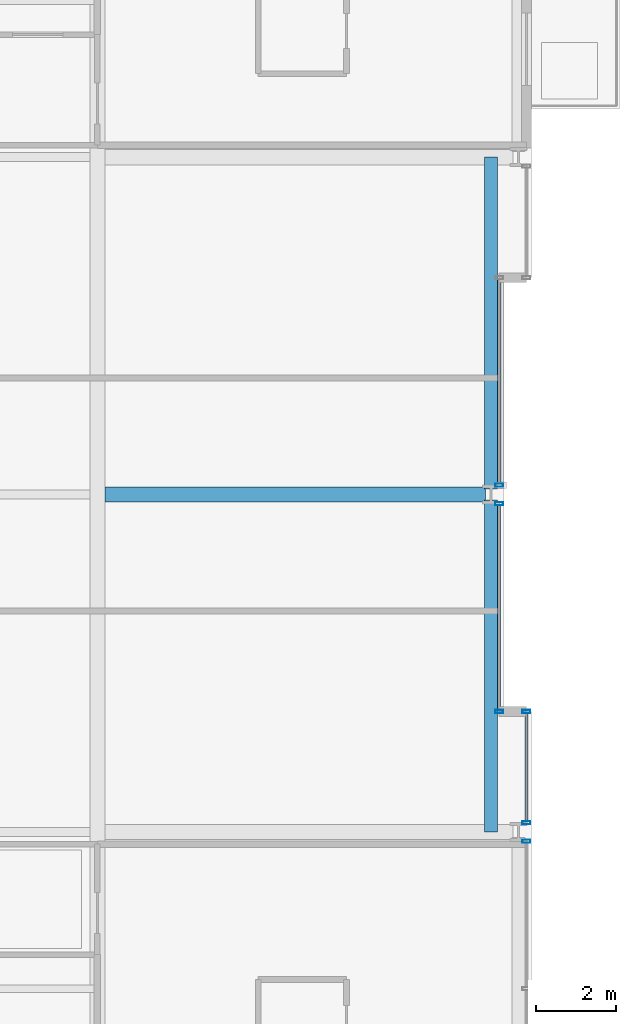
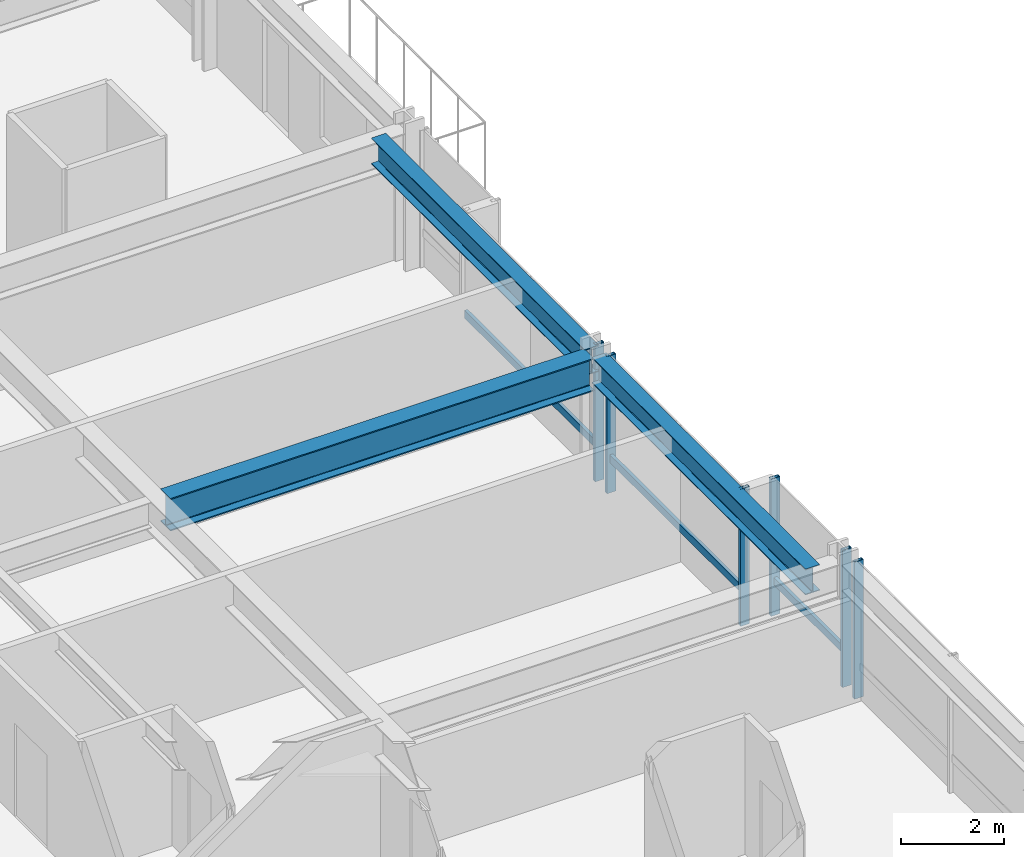
# One storey, part 16 of 38: 9 members, 3 beams, 4 elements without a shape of their own.
"""IFC4 building model written with IfcOpenShell, lengths in metres."""

import ifcopenshell
import ifcopenshell.guid

model = None  # the IFC model being written
_history = None  # IfcOwnerHistory: only IFC2X3 demands one
_inside = {}  # id of a spatial element -> (the spatial element, [elements in it])
_under = {}  # id of a project, library or spatial element -> (it, [spatial elements below it])
_declared = {}  # id of a project -> (the project, [libraries it declares])
_typed = {}  # id of a type object -> (the type object, [elements of that type])
_made_of = {}  # id of a material, layer set ... -> (it, [elements and type objects made of it])


def new_model(schema):
    """Start an empty IFC model of exactly this schema.

    Asked for "IFC4X3", IfcOpenShell would pick the latest addendum, in which some entities
    have other attributes; the version numbers below select the first issue.
    IFC2X3 requires an IfcOwnerHistory on every rooted entity: one is made here for all.
    """
    global model, _history
    if schema == "IFC4X3":
        model = ifcopenshell.file(schema_version=(4, 3, 0, 0))
    else:
        model = ifcopenshell.file(schema=schema)
    _inside.clear()
    _under.clear()
    _declared.clear()
    _typed.clear()
    _made_of.clear()
    _history = None
    if model.schema == "IFC2X3":
        org = make("IfcOrganization", Name="unknown")
        user = make(
            "IfcPersonAndOrganization",
            ThePerson=make("IfcPerson", FamilyName="unknown"),
            TheOrganization=org,
        )
        app = make(
            "IfcApplication",
            ApplicationDeveloper=org,
            Version="unknown",
            ApplicationFullName="unknown",
            ApplicationIdentifier="unknown",
        )
        _history = make(
            "IfcOwnerHistory",
            OwningUser=user,
            OwningApplication=app,
            ChangeAction="ADDED",
            CreationDate=0,
        )
    return model


def make(cls, **values):
    """One entity of the class cls with the attributes given. An attribute that is None is left unset."""
    return model.create_entity(
        cls, **{name: value for name, value in values.items() if value is not None}
    )


def rooted(cls, **values):
    """An entity with a GlobalId (a new one), such as an element, a storey or a relation."""
    return make(cls, GlobalId=ifcopenshell.guid.new(), OwnerHistory=_history, **values)


def si_unit(unit_type, name, prefix=None):
    """IfcSIUnit, for example si_unit("LENGTHUNIT", "METRE", prefix="MILLI")."""
    return make("IfcSIUnit", UnitType=unit_type, Prefix=prefix, Name=name)


def assignment(units):
    """IfcUnitAssignment: the units of a project."""
    return None if units is None else make("IfcUnitAssignment", Units=units)


def point(xyz):
    """IfcCartesianPoint."""
    return None if xyz is None else make("IfcCartesianPoint", Coordinates=xyz)


def direction(xyz):
    """IfcDirection."""
    return None if xyz is None else make("IfcDirection", DirectionRatios=xyz)


def frame(location, z_axis=None, x_axis=None):
    """IfcAxis2Placement3D, a coordinate frame: its origin and axes. An axis left out is left unset."""
    return make(
        "IfcAxis2Placement3D",
        Location=point(location),
        Axis=direction(z_axis),
        RefDirection=direction(x_axis),
    )


def frame_2d(location, x_axis=None):
    """IfcAxis2Placement2D, a coordinate frame in the plane: its origin and x axis."""
    return make(
        "IfcAxis2Placement2D", Location=point(location), RefDirection=direction(x_axis)
    )


def origin():
    """The frame at (0, 0, 0) with its axes left unset."""
    return frame((0.0, 0.0, 0.0))


def origin_2d():
    """The frame at (0, 0) in the plane with its x axis left unset."""
    return frame_2d((0.0, 0.0))


def place(relative_to, where):
    """IfcLocalPlacement: puts the frame where relative to a parent placement (None: the world)."""
    return make(
        "IfcLocalPlacement", PlacementRelTo=relative_to, RelativePlacement=where
    )


def context(
    kind, dimensions, precision=None, world=None, true_north=None, identifier=None
):
    """IfcGeometricRepresentationContext, for example the 3D "Model" context."""
    return make(
        "IfcGeometricRepresentationContext",
        ContextIdentifier=identifier,
        ContextType=kind,
        CoordinateSpaceDimension=dimensions,
        Precision=precision,
        WorldCoordinateSystem=world,
        TrueNorth=true_north,
    )


def subcontext(parent, identifier, kind, view, scale=None):
    """IfcGeometricRepresentationSubContext, for example "Body" below "Model"."""
    return make(
        "IfcGeometricRepresentationSubContext",
        ContextIdentifier=identifier,
        ContextType=kind,
        ParentContext=parent,
        TargetScale=scale,
        TargetView=view,
    )


def project(units=None, contexts=None):
    """IfcProject with its units and contexts."""
    return rooted(
        "IfcProject",
        Name="project",
        RepresentationContexts=contexts,
        UnitsInContext=assignment(units),
    )


def spatial(cls, under=None, at=None, **own):
    """A site, building, storey or space (cls), placed at a placement, below another one or the project."""
    s = rooted(cls, ObjectPlacement=at, **own)
    if under is not None:
        _under.setdefault(under.id(), (under, []))[1].append(s)
    return s


def profile(cls, at=None, kind="AREA", **sizes):
    """A parametric profile (cls). Its sizes go by their IFC names, for example OverallWidth=200.0."""
    return make(cls, ProfileType=kind, Position=at, **sizes)


def hollow_rectangle(**sizes):
    """IfcRectangleHollowProfileDef."""
    return profile("IfcRectangleHollowProfileDef", **sizes)


def i_section(**sizes):
    """IfcIShapeProfileDef."""
    return profile("IfcIShapeProfileDef", **sizes)


def extrude(swept, where, along, depth):
    """IfcExtrudedAreaSolid: the profile swept, set in the frame where, extruded along a direction by depth."""
    return make(
        "IfcExtrudedAreaSolid",
        SweptArea=swept,
        Position=where,
        ExtrudedDirection=direction(along),
        Depth=depth,
    )


def shape(context_of_items, identifier, shape_type, items):
    """IfcShapeRepresentation: the items that make up one representation, for example the "Body"."""
    return make(
        "IfcShapeRepresentation",
        ContextOfItems=context_of_items,
        RepresentationIdentifier=identifier,
        RepresentationType=shape_type,
        Items=items,
    )


def material(Name=None, Category=None):
    """IfcMaterial."""
    return make("IfcMaterial", Name=Name, Category=Category)


def layer(
    of_material, thickness, ventilated=None, Name=None, Category=None, Priority=None
):
    """IfcMaterialLayer: one layer of a wall or slab, of a material (None: an air gap)."""
    return make(
        "IfcMaterialLayer",
        Material=of_material,
        LayerThickness=thickness,
        IsVentilated=ventilated,
        Name=Name,
        Category=Category,
        Priority=Priority,
    )


def layer_set(layers, Name=None):
    """IfcMaterialLayerSet."""
    return make("IfcMaterialLayerSet", MaterialLayers=layers, LayerSetName=Name)


def material_profile(
    of_material, cross_section, Name=None, Category=None, Priority=None
):
    """IfcMaterialProfile: a cross section and its material."""
    return make(
        "IfcMaterialProfile",
        Name=Name,
        Material=of_material,
        Profile=cross_section,
        Priority=Priority,
        Category=Category,
    )


def profile_set(profiles, Name=None, composite=None):
    """IfcMaterialProfileSet."""
    return make(
        "IfcMaterialProfileSet",
        Name=Name,
        MaterialProfiles=profiles,
        CompositeProfile=composite,
    )


def made_of(thing, what):
    """Note that an element or type object is made of a material, layer set ...; save() writes the relation."""
    if what is not None:
        _made_of.setdefault(what.id(), (what, []))[1].append(thing)
    return thing


def type_object(cls, material=None, **own):
    """A type object (cls), such as IfcWallType, which elements share."""
    return made_of(rooted(cls, **own), material)


def element(
    cls,
    number,
    at=None,
    inside=None,
    cuts=None,
    type_object=None,
    material=None,
    context=None,
    identifier="Body",
    shape_type=None,
    held_by="IfcProductDefinitionShape",
    body=None,
    shapes=None,
    **own,
):
    """One element of the class cls, such as IfcWall. Its Tag is "e" and its number.

    at: its placement. inside: the storey or other place that contains it. cuts: it is an
    opening in that element (IfcRelVoidsElement). A single representation is given by context,
    identifier, shape_type and body (its items); several are given by shapes. held_by: the class
    of the entity that holds the representations. save() writes the other relations.
    """
    e = rooted(cls, Tag="e%d" % number, ObjectPlacement=at, **own)
    if body is not None:
        shapes = [shape(context, identifier, shape_type, body)]
    if shapes is not None:
        e.Representation = make(held_by, Representations=shapes)
    if inside is not None:
        _inside.setdefault(inside.id(), (inside, []))[1].append(e)
    if cuts is not None:
        rooted(
            "IfcRelVoidsElement", RelatingBuildingElement=cuts, RelatedOpeningElement=e
        )
    if type_object is not None:
        _typed.setdefault(type_object.id(), (type_object, []))[1].append(e)
    return made_of(e, material)


def aggregate(whole, parts):
    """IfcRelAggregates: a whole, such as a stair, and the parts it consists of."""
    return rooted("IfcRelAggregates", RelatingObject=whole, RelatedObjects=parts)


def save(model, path):
    """Write the relations noted so far, then the file.

    IfcRelAggregates (storeys below a building ...), IfcRelContainedInSpatialStructure (elements
    in a storey), IfcRelDefinesByType, IfcRelAssociatesMaterial and IfcRelDeclares: one each for
    every whole, place, type object, material and project.
    """
    for whole, parts in _under.values():
        aggregate(whole, parts)
    for where, things in _inside.values():
        rooted(
            "IfcRelContainedInSpatialStructure",
            RelatedElements=things,
            RelatingStructure=where,
        )
    for kind, things in _typed.values():
        rooted("IfcRelDefinesByType", RelatedObjects=things, RelatingType=kind)
    for what, things in _made_of.values():
        rooted("IfcRelAssociatesMaterial", RelatedObjects=things, RelatingMaterial=what)
    for by, libraries in _declared.values():
        rooted("IfcRelDeclares", RelatingContext=by, RelatedDefinitions=libraries)
    model.write(path)


model = new_model("IFC4")

# Units and contexts
model_context = context("Model", 3, precision=1e-05, world=origin(), true_north=direction((0.0, 1.0)))
body_context = subcontext(model_context, "Body", "Model", "MODEL_VIEW")
ifc_project = project(units=[si_unit("LENGTHUNIT", "METRE"), si_unit("AREAUNIT", "SQUARE_METRE"), si_unit("VOLUMEUNIT", "CUBIC_METRE"), si_unit("PLANEANGLEUNIT", "RADIAN"), si_unit("MASSUNIT", "GRAM", prefix="KILO")], contexts=[model_context])

# Site, building, storey
site_placement = place(None, origin())
site = spatial("IfcSite", under=ifc_project, at=site_placement, CompositionType="ELEMENT")
building_placement = place(site_placement, origin())
building = spatial("IfcBuilding", under=site, at=building_placement, Name="Drelvath Grand Hotel", CompositionType="ELEMENT")
storey_placement = place(building_placement, frame((0.0, 0.0, 64.699951171875)))
storey = spatial("IfcBuildingStorey", under=building, at=storey_placement, Name="L15", CompositionType="ELEMENT", Elevation=64.699951171875)

# Curtain wall, member
ifc_material_1 = material(Name="Warm Bronze Anodised Aluminium Frame", Category="aluminium")
ifc_layer = layer(ifc_material_1, 0.199951171875)
ifc_layer_set = layer_set([ifc_layer], Name="Warm Bronze Anodised Aluminium Frame")
curtain_wall_type = type_object("IfcCurtainWallType", Name="Stick Curtain Wall CW-02 Warm Bronze Low-Rise", PredefinedType="NOTDEFINED", material=ifc_layer_set)
curtain_wall_1_placement = place(storey_placement, origin())
curtain_wall_1 = element("IfcCurtainWall", 1, at=curtain_wall_1_placement, inside=storey, type_object=curtain_wall_type, Name="L15 CW-02 Curtain Wall CW02-L15-EM1", PredefinedType="NOTDEFINED")
ifc_material_profile_1 = material_profile(ifc_material_1, hollow_rectangle(XDim=0.074951171875, YDim=0.179931640625, WallThickness=0.0048828125, at=origin_2d()), Name="HSS180X75X5")
ifc_profile_set_1 = profile_set([ifc_material_profile_1], Name="Warm Bronze Anodised Aluminium Frame")
member_type_1 = type_object("IfcMemberType", Name="Curtain Wall Horizontal Transom CW-02 HSS180X75X5", PredefinedType="USERDEFINED", material=ifc_profile_set_1)
member_1_placement = place(storey_placement, frame((26.199951171875, 26.73095703125, 0.81005859375), z_axis=(0.0, -1.0, 0.0), x_axis=(1.0, 0.0, 0.0)))
member_1 = element("IfcMember", 2, at=member_1_placement, type_object=member_type_1, Name="CW02-L15-EM1 Sill Transom", ObjectType="TRANSOM", PredefinedType="USERDEFINED", context=body_context, shape_type="SweptSolid", body=[
    extrude(hollow_rectangle(XDim=0.074951171875, YDim=0.179931640625, WallThickness=0.0048828125, at=origin_2d()), origin(), (0.0, 0.0, 1.0), 5.091064453125),
])

curtain_wall_2_placement = place(storey_placement, origin())
curtain_wall_2 = element("IfcCurtainWall", 3, at=curtain_wall_2_placement, inside=storey, type_object=curtain_wall_type, Name="L15 CW-02 Curtain Wall CW02-L15-EM2", PredefinedType="NOTDEFINED")
member_2_placement = place(storey_placement, frame((26.199951171875, 32.360107421875, 0.81005859375), z_axis=(0.0, -1.0, 0.0), x_axis=(1.0, 0.0, 0.0)))
member_2 = element("IfcMember", 4, at=member_2_placement, type_object=member_type_1, Name="CW02-L15-EM2 Sill Transom", ObjectType="TRANSOM", PredefinedType="USERDEFINED", context=body_context, shape_type="SweptSolid", body=[
    extrude(hollow_rectangle(XDim=0.074951171875, YDim=0.179931640625, WallThickness=0.0048828125, at=origin_2d()), origin(), (0.0, 0.0, 1.0), 5.091064453125),
])

curtain_wall_3_placement = place(storey_placement, origin())
curtain_wall_3 = element("IfcCurtainWall", 5, at=curtain_wall_3_placement, inside=storey, type_object=curtain_wall_type, Name="L15 CW-02 Curtain Wall CW02-L15-ES3", PredefinedType="NOTDEFINED")
member_3_placement = place(storey_placement, frame((26.8798828125, 21.56005859375, 0.81005859375), z_axis=(0.0, -1.0, 0.0), x_axis=(1.0, 0.0, 0.0)))
member_3 = element("IfcMember", 6, at=member_3_placement, type_object=member_type_1, Name="CW02-L15-ES3 Sill Transom", ObjectType="TRANSOM", PredefinedType="USERDEFINED", context=body_context, shape_type="SweptSolid", body=[
    extrude(hollow_rectangle(XDim=0.074951171875, YDim=0.179931640625, WallThickness=0.0048828125, at=origin_2d()), origin(), (0.0, 0.0, 1.0), 2.69091796875),
])

# Member
ifc_material_profile_2 = material_profile(ifc_material_1, hollow_rectangle(XDim=0.080078125, YDim=0.199951171875, WallThickness=0.0048828125, at=origin_2d()), Name="HSS200X80X5")
ifc_profile_set_2 = profile_set([ifc_material_profile_2], Name="Warm Bronze Anodised Aluminium Frame")
member_type_2 = type_object("IfcMemberType", Name="Curtain Wall Vertical Mullion CW-02 HSS200X80X5", PredefinedType="MULLION", material=ifc_profile_set_2)
member_4_placement = place(storey_placement, frame((26.199951171875, 26.77099609375, 0.0), z_axis=(0.0, 0.0, 1.0), x_axis=(0.0, 1.0, 0.0)))
member_4 = element("IfcMember", 7, at=member_4_placement, type_object=member_type_2, Name="CW02-L15-EM1 Mullion 1", PredefinedType="MULLION", context=body_context, shape_type="SweptSolid", body=[
    extrude(hollow_rectangle(XDim=0.080078125, YDim=0.199951171875, WallThickness=0.0048828125, at=origin_2d()), origin(), (0.0, 0.0, 1.0), 3.239990234375),
])

member_5_placement = place(storey_placement, frame((26.199951171875, 21.60009765625, 0.0), z_axis=(0.0, 0.0, 1.0), x_axis=(0.0, 1.0, 0.0)))
member_5 = element("IfcMember", 8, at=member_5_placement, type_object=member_type_2, Name="CW02-L15-EM1 Mullion 2", PredefinedType="MULLION", context=body_context, shape_type="SweptSolid", body=[
    extrude(hollow_rectangle(XDim=0.080078125, YDim=0.199951171875, WallThickness=0.0048828125, at=origin_2d()), origin(), (0.0, 0.0, 1.0), 3.239990234375),
])

aggregate(curtain_wall_1, [member_4, member_5, member_1])

member_6_placement = place(storey_placement, frame((26.199951171875, 27.22900390625, 0.0), z_axis=(0.0, 0.0, 1.0), x_axis=(0.0, 1.0, 0.0)))
member_6 = element("IfcMember", 9, at=member_6_placement, type_object=member_type_2, Name="CW02-L15-EM2 Mullion 2", PredefinedType="MULLION", context=body_context, shape_type="SweptSolid", body=[
    extrude(hollow_rectangle(XDim=0.080078125, YDim=0.199951171875, WallThickness=0.0048828125, at=origin_2d()), origin(), (0.0, 0.0, 1.0), 3.239990234375),
])

aggregate(curtain_wall_2, [member_6, member_2])

# Curtain wall, member
curtain_wall_4_placement = place(storey_placement, origin())
curtain_wall_4 = element("IfcCurtainWall", 10, at=curtain_wall_4_placement, inside=storey, type_object=curtain_wall_type, Name="L15 CW-02 Curtain Wall CW02-L15-ES2", PredefinedType="NOTDEFINED")
member_7_placement = place(storey_placement, frame((26.8798828125, 18.370849609375, 0.0), z_axis=(0.0, 0.0, 1.0), x_axis=(0.0, 1.0, 0.0)))
member_7 = element("IfcMember", 11, at=member_7_placement, type_object=member_type_2, Name="CW02-L15-ES2 Mullion 1", PredefinedType="MULLION", context=body_context, shape_type="SweptSolid", body=[
    extrude(hollow_rectangle(XDim=0.080078125, YDim=0.199951171875, WallThickness=0.0048828125, at=origin_2d()), origin(), (0.0, 0.0, 1.0), 3.239990234375),
])
aggregate(curtain_wall_4, [member_7])

# Member
member_8_placement = place(storey_placement, frame((26.8798828125, 21.60009765625, 0.0), z_axis=(0.0, 0.0, 1.0), x_axis=(0.0, 1.0, 0.0)))
member_8 = element("IfcMember", 12, at=member_8_placement, type_object=member_type_2, Name="CW02-L15-ES3 Mullion 1", PredefinedType="MULLION", context=body_context, shape_type="SweptSolid", body=[
    extrude(hollow_rectangle(XDim=0.080078125, YDim=0.199951171875, WallThickness=0.0048828125, at=origin_2d()), origin(), (0.0, 0.0, 1.0), 3.239990234375),
])

member_9_placement = place(storey_placement, frame((26.8798828125, 18.8291015625, 0.0), z_axis=(0.0, 0.0, 1.0), x_axis=(0.0, 1.0, 0.0)))
member_9 = element("IfcMember", 13, at=member_9_placement, type_object=member_type_2, Name="CW02-L15-ES3 Mullion 2", PredefinedType="MULLION", context=body_context, shape_type="SweptSolid", body=[
    extrude(hollow_rectangle(XDim=0.080078125, YDim=0.199951171875, WallThickness=0.0048828125, at=origin_2d()), origin(), (0.0, 0.0, 1.0), 3.239990234375),
])

aggregate(curtain_wall_3, [member_8, member_9, member_3])

# Beams
ifc_material_2 = material(Name="Steel ASTM A992 Gr 50", Category="steel")
ifc_material_profile_3 = material_profile(ifc_material_2, i_section(OverallWidth=0.323974609375, OverallDepth=0.611083984375, WebThickness=0.0126953125, FlangeThickness=0.01904296875, FilletRadius=0.02197265625, at=origin_2d()), Name="W24X104")
ifc_profile_set_3 = profile_set([ifc_material_profile_3], Name="Steel ASTM A992 Gr 50")
beam_type_1 = type_object("IfcBeamType", Name="Perimeter Spandrel Beam W24X104", PredefinedType="SPANDREL", material=ifc_profile_set_3)
for number, where, z_axis, x_axis, name in (
    (14, (26.0, 18.60009765625, 2.9345703125), (0.0, 1.0, 0.0), (-1.0, 0.0, 0.0), "L15 Spandrel East Mid S"),
    (15, (26.0, 27.139892578125, 2.9345703125), (0.0, 1.0, 0.0), (-1.0, 0.0, 0.0), "L15 Spandrel East Mid N"),
):
    element("IfcBeam", number, at=place(storey_placement, frame(where, z_axis=z_axis, x_axis=x_axis)), inside=storey, type_object=beam_type_1, Name=name, PredefinedType="SPANDREL", context=body_context, shape_type="SweptSolid", body=[
        extrude(i_section(OverallWidth=0.323974609375, OverallDepth=0.611083984375, WebThickness=0.0126953125, FlangeThickness=0.01904296875, FilletRadius=0.02197265625, at=origin_2d()), origin(), (0.0, 0.0, 1.0), 8.260009765625),
    ])
ifc_material_profile_4 = material_profile(ifc_material_2, i_section(OverallWidth=0.380615234375, OverallDepth=0.773193359375, WebThickness=0.0166015625, FlangeThickness=0.027099609375, FilletRadius=0.02490234375, at=origin_2d()), Name="W30X173")
ifc_profile_set_4 = profile_set([ifc_material_profile_4], Name="Steel ASTM A992 Gr 50")
beam_type_2 = type_object("IfcBeamType", Name="Primary Floor Girder W30X173", PredefinedType="BEAM", material=ifc_profile_set_4)
beam_placement = place(storey_placement, frame((16.390380859375, 27.0, 2.853515625), z_axis=(1.0, 0.0, 0.0), x_axis=(0.0, 1.0, 0.0)))
element("IfcBeam", 16, at=beam_placement, inside=storey, type_object=beam_type_2, Name="L15 East Wing Girder E", PredefinedType="BEAM", context=body_context, shape_type="SweptSolid", body=[
    extrude(i_section(OverallWidth=0.380615234375, OverallDepth=0.773193359375, WebThickness=0.0166015625, FlangeThickness=0.027099609375, FilletRadius=0.02490234375, at=origin_2d()), origin(), (0.0, 0.0, 1.0), 9.4697265625),
])

save(model, "model.ifc")
